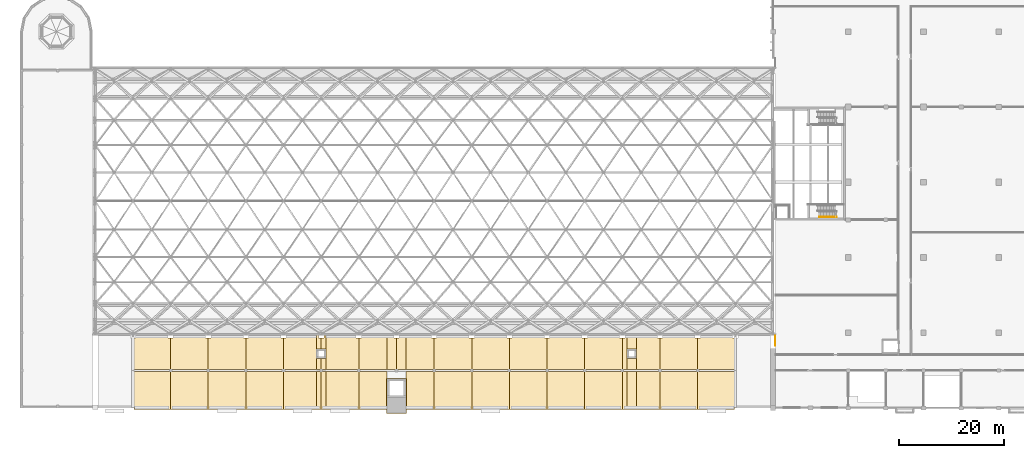
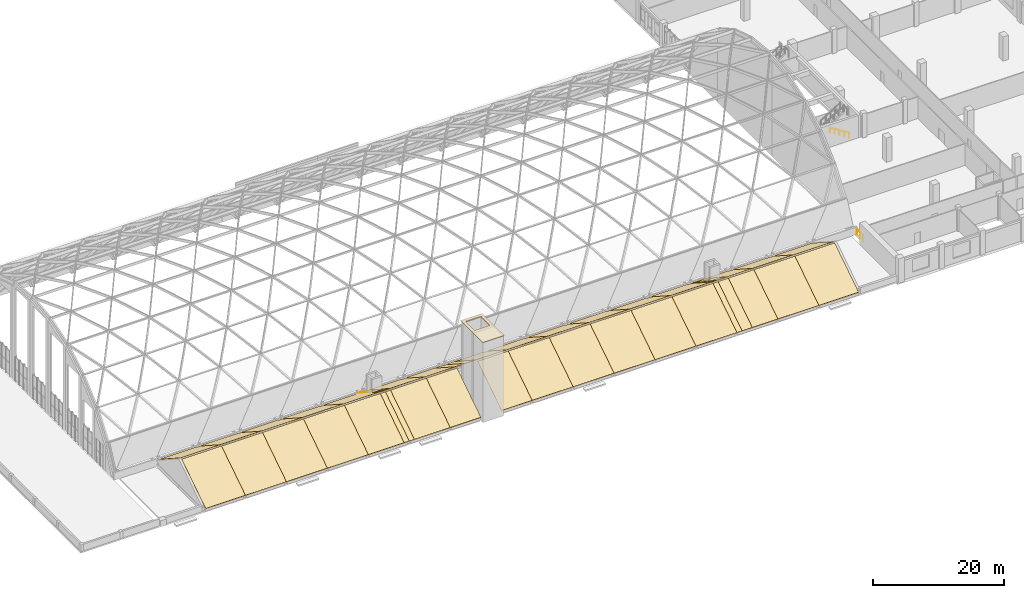
# One storey, part 50 of 52: 47 coverings, 2 railings.
"""IFC4 building model written with IfcOpenShell, lengths in metres."""

from ifc_helpers import new_model, si_unit, direction, frame, origin, origin_2d, place, context, subcontext, project, spatial, polyline, circle, outline, extrude, material, layer, layer_set, type_object, element, save


model = new_model("IFC4")

# Units and contexts
model_context = context("Model", 3, precision=1e-05, world=origin(), true_north=direction((0.0, 1.0)))
body_context = subcontext(model_context, "Body", "Model", "MODEL_VIEW")
ifc_project = project(units=[si_unit("LENGTHUNIT", "METRE"), si_unit("AREAUNIT", "SQUARE_METRE"), si_unit("VOLUMEUNIT", "CUBIC_METRE"), si_unit("PLANEANGLEUNIT", "RADIAN"), si_unit("MASSUNIT", "GRAM", prefix="KILO")], contexts=[model_context])

# Site, building, storey
site_placement = place(None, origin())
site = spatial("IfcSite", under=ifc_project, at=site_placement, CompositionType="ELEMENT")
building_placement = place(site_placement, origin())
building = spatial("IfcBuilding", under=site, at=building_placement, Name="Vermilion Court Aquatics Centre", CompositionType="ELEMENT")
storey_placement = place(building_placement, frame((0.0, 0.0, 12.0)))
storey = spatial("IfcBuildingStorey", under=building, at=storey_placement, Name="L02", CompositionType="ELEMENT", Elevation=12.0)

# Railings
ifc_material_1 = material(Name="Steel ASTM A992 Grade 50", Category="steel")
railing_type_1 = type_object("IfcRailingType", Name="Diving Tower stair handrail 900", PredefinedType="HANDRAIL", material=ifc_material_1)
railing_1_placement = place(storey_placement, frame((156.199951171875, 36.550048828125, 0.173095703125)))
element("IfcRailing", 1, at=railing_1_placement, inside=storey, type_object=railing_type_1, Name="Stair 1 handrail wall L02", PredefinedType="HANDRAIL", context=body_context, shape_type="SweptSolid", body=[
    extrude(circle(Radius=0.02392578125, at=origin_2d()), frame((0.0, 0.0, 0.8759765625), z_axis=(-0.850606129759, 0.0, 0.525803396734), x_axis=(0.0, -1.0, 0.0)), (0.0, 0.0, 1.0), 3.949951171875),
    extrude(circle(Radius=0.02099609375, at=origin_2d()), origin(), (0.0, 0.0, 1.0), 0.851806640625),
    extrude(circle(Radius=0.02099609375, at=origin_2d()), frame((-0.83984375, 0.0, 0.519287109375)), (0.0, 0.0, 1.0), 0.851806640625),
    extrude(circle(Radius=0.02099609375, at=origin_2d()), frame((-1.679931640625, 0.0, 1.03857421875)), (0.0, 0.0, 1.0), 0.851806640625),
    extrude(circle(Radius=0.02099609375, at=origin_2d()), frame((-2.52001953125, 0.0, 1.5576171875)), (0.0, 0.0, 1.0), 0.851806640625),
    extrude(circle(Radius=0.02099609375, at=origin_2d()), frame((-3.35986328125, 0.0, 2.076904296875)), (0.0, 0.0, 1.0), 0.851806640625),
])
ifc_material_2 = material(Name="Steel ASTM A992 Grade 50", Category="steel")
railing_type_2 = type_object("IfcRailingType", Name="Podium floor edge guard 1100", PredefinedType="GUARDRAIL", material=ifc_material_2)
railing_2_placement = place(storey_placement, frame((144.449951171875, 11.89990234375, 0.0)))
element("IfcRailing", 2, at=railing_2_placement, inside=storey, type_object=railing_type_2, Name="Floor edge guard L02", PredefinedType="GUARDRAIL", context=body_context, shape_type="SweptSolid", body=[
    extrude(circle(Radius=0.02392578125, at=origin_2d()), frame((0.0, 0.0, 1.076171875), z_axis=(0.0, 1.0, 0.0), x_axis=(-1.0, 0.0, 0.0)), (0.0, 0.0, 1.0), 1.900146484375),
    extrude(circle(Radius=0.02099609375, at=origin_2d()), origin(), (0.0, 0.0, 1.0), 1.052001953125),
    extrude(circle(Radius=0.02099609375, at=origin_2d()), frame((0.0, 0.9501953125, 0.0)), (0.0, 0.0, 1.0), 1.052001953125),
    extrude(circle(Radius=0.02099609375, at=origin_2d()), frame((0.0, 1.900146484375, 0.0)), (0.0, 0.0, 1.0), 1.052001953125),
])

# Coverings
ifc_material_3 = material(Name="Terracotta cladding", Category="masonry")
ifc_layer_1 = layer(ifc_material_3, 0.0400390625)
ifc_layer_set_1 = layer_set([ifc_layer_1], Name="South roof tile covering 40")
covering_type_1 = type_object("IfcCoveringType", Name="South roof tile covering 40", PredefinedType="ROOFING", material=ifc_layer_set_1)
covering_1_placement = place(storey_placement, frame((21.800048828125, -0.300048828125, 0.627197265625), z_axis=(0.0, -0.544640288858, 0.838669753689), x_axis=(0.0, 0.838669753689, 0.544640288858)))
element("IfcCovering", 3, at=covering_1_placement, inside=storey, type_object=covering_type_1, Name="South roof tile covering", PredefinedType="ROOFING", context=body_context, shape_type="SweptSolid", body=[
    extrude(outline(polyline([(0.0, 0.0), (8.704318709496524, 0.0), (8.704318709496524, -7.0), (0.0, -7.0), (0.0, 0.0)])), origin(), (-0.544640288858, 0.0, -0.838669753689), 0.047607421875),
])
for number, where, z_axis, x_axis, name in (
    (4, (28.800048828125, -0.300048828125, 0.627197265625), (0.0, -0.544640288858, 0.838669753689), (0.0, 0.838669753689, 0.544640288858), "South roof tile covering"),
    (5, (36.0, -0.300048828125, 0.627197265625), (0.0, -0.544640288858, 0.838669753689), (0.0, 0.838669753689, 0.544640288858), "South roof tile covering"),
    (6, (43.199951171875, -0.300048828125, 0.627197265625), (0.0, -0.544640288858, 0.838669753689), (0.0, 0.838669753689, 0.544640288858), "South roof tile covering"),
):
    element("IfcCovering", number, at=place(storey_placement, frame(where, z_axis=z_axis, x_axis=x_axis)), inside=storey, type_object=covering_type_1, Name=name, PredefinedType="ROOFING", context=body_context, shape_type="SweptSolid", body=[
        extrude(outline(polyline([(0.0, 0.0), (8.704318709496524, 0.0), (8.704318709496524, -7.199951171875), (0.0, -7.199951171875), (0.0, 0.0)])), origin(), (-0.544640288858, 0.0, -0.838669753689), 0.047607421875),
    ])
covering_2_placement = place(storey_placement, frame((50.39990234375, -0.300048828125, 0.627197265625), z_axis=(0.0, -0.544640288858, 0.838669753689), x_axis=(0.0, 0.838669753689, 0.544640288858)))
element("IfcCovering", 7, at=covering_2_placement, inside=storey, type_object=covering_type_1, Name="South roof tile covering", PredefinedType="ROOFING", context=body_context, shape_type="SweptSolid", body=[
    extrude(outline(polyline([(0.0, 0.0), (8.704318709496524, 0.0), (8.704318709496524, -6.300048828125), (0.0, -6.300048828125), (0.0, 0.0)])), origin(), (-0.544640288858, 0.0, -0.838669753689), 0.047607421875),
])
covering_3_placement = place(storey_placement, frame((56.699951171875, -0.300048828125, 0.627197265625), z_axis=(0.0, -0.544640288858, 0.838669753689), x_axis=(0.0, 0.838669753689, 0.544640288858)))
element("IfcCovering", 8, at=covering_3_placement, inside=storey, type_object=covering_type_1, Name="South roof tile covering", PredefinedType="ROOFING", context=body_context, shape_type="SweptSolid", body=[
    extrude(outline(polyline([(0.0, 0.0), (8.704318709496524, 0.0), (8.704318709496524, -0.900146484375), (0.0, -0.900146484375), (0.0, 0.0)])), origin(), (-0.544640288858, 0.0, -0.838669753689), 0.047607421875),
])
covering_4_placement = place(storey_placement, frame((57.60009765625, -0.300048828125, 0.627197265625), z_axis=(0.0, -0.544640288858, 0.838669753689), x_axis=(0.0, 0.838669753689, 0.544640288858)))
element("IfcCovering", 9, at=covering_4_placement, inside=storey, type_object=covering_type_1, Name="South roof tile covering", PredefinedType="ROOFING", context=body_context, shape_type="SweptSolid", body=[
    extrude(outline(polyline([(0.0, 0.0), (8.704318709496524, 0.0), (8.704318709496524, -0.89990234375), (0.0, -0.89990234375), (0.0, 0.0)])), origin(), (-0.544640288858, 0.0, -0.838669753689), 0.047607421875),
])
covering_5_placement = place(storey_placement, frame((58.5, -0.300048828125, 0.627197265625), z_axis=(0.0, -0.544640288858, 0.838669753689), x_axis=(0.0, 0.838669753689, 0.544640288858)))
element("IfcCovering", 10, at=covering_5_placement, inside=storey, type_object=covering_type_1, Name="South roof tile covering", PredefinedType="ROOFING", context=body_context, shape_type="SweptSolid", body=[
    extrude(outline(polyline([(0.0, 0.0), (8.704318709496524, 0.0), (8.704318709496524, -6.300048828125), (0.0, -6.300048828125), (0.0, 0.0)])), origin(), (-0.544640288858, 0.0, -0.838669753689), 0.047607421875),
])
covering_6_placement = place(storey_placement, frame((70.199951171875, -0.300048828125, 0.627197265625), z_axis=(0.0, -0.544640288858, 0.838669753689), x_axis=(-1.0, 0.0, 0.0)))
element("IfcCovering", 11, at=covering_6_placement, inside=storey, type_object=covering_type_1, Name="South roof tile covering", PredefinedType="ROOFING", context=body_context, shape_type="SweptSolid", body=[
    extrude(outline(polyline([(0.0, 0.0), (5.39990234375, 0.0), (5.39990234375, -8.704318709496524), (0.0, -8.704318709496524), (0.0, 0.0)])), origin(), (0.0, 0.544640288858, -0.838669753689), 0.047607421875),
])
covering_7_placement = place(storey_placement, frame((73.800048828125, 7.0, 5.367919921875), z_axis=(0.0, -0.544640288858, 0.838669753689), x_axis=(1.0, 0.0, 0.0)))
element("IfcCovering", 12, at=covering_7_placement, inside=storey, type_object=covering_type_1, Name="South roof tile covering", PredefinedType="ROOFING", context=body_context, shape_type="SweptSolid", body=[
    extrude(outline(polyline([(0.0, 0.0), (5.39990234375, 0.0), (5.39990234375, -8.704318709496524), (0.0, -8.704318709496524), (0.0, 0.0)])), origin(), (0.0, -0.544640288858, -0.838669753689), 0.047607421875),
])
covering_8_placement = place(storey_placement, frame((79.199951171875, -0.300048828125, 0.627197265625), z_axis=(0.0, -0.544640288858, 0.838669753689), x_axis=(0.0, 0.838669753689, 0.544640288858)))
element("IfcCovering", 13, at=covering_8_placement, inside=storey, type_object=covering_type_1, Name="South roof tile covering", PredefinedType="ROOFING", context=body_context, shape_type="SweptSolid", body=[
    extrude(outline(polyline([(0.0, 0.0), (8.704318709496524, 0.0), (8.704318709496524, -7.199951171875), (0.0, -7.199951171875), (0.0, 0.0)])), origin(), (-0.544640288858, 0.0, -0.838669753689), 0.047607421875),
])
covering_9_placement = place(storey_placement, frame((86.39990234375, -0.300048828125, 0.627197265625), z_axis=(0.0, -0.544640288858, 0.838669753689), x_axis=(0.0, 0.838669753689, 0.544640288858)))
element("IfcCovering", 14, at=covering_9_placement, inside=storey, type_object=covering_type_1, Name="South roof tile covering", PredefinedType="ROOFING", context=body_context, shape_type="SweptSolid", body=[
    extrude(outline(polyline([(0.0, 0.0), (8.704318709496524, 0.0), (8.704318709496524, -7.2001953125), (0.0, -7.2001953125), (0.0, 0.0)])), origin(), (-0.544640288858, 0.0, -0.838669753689), 0.047607421875),
])
for number, where, z_axis, x_axis, name in (
    (15, (93.60009765625, -0.300048828125, 0.627197265625), (0.0, -0.544640288858, 0.838669753689), (0.0, 0.838669753689, 0.544640288858), "South roof tile covering"),
    (16, (100.800048828125, -0.300048828125, 0.627197265625), (0.0, -0.544640288858, 0.838669753689), (0.0, 0.838669753689, 0.544640288858), "South roof tile covering"),
    (17, (108.0, -0.300048828125, 0.627197265625), (0.0, -0.544640288858, 0.838669753689), (0.0, 0.838669753689, 0.544640288858), "South roof tile covering"),
):
    element("IfcCovering", number, at=place(storey_placement, frame(where, z_axis=z_axis, x_axis=x_axis)), inside=storey, type_object=covering_type_1, Name=name, PredefinedType="ROOFING", context=body_context, shape_type="SweptSolid", body=[
        extrude(outline(polyline([(0.0, 0.0), (8.704318709496524, 0.0), (8.704318709496524, -7.199951171875), (0.0, -7.199951171875), (0.0, 0.0)])), origin(), (-0.544640288858, 0.0, -0.838669753689), 0.047607421875),
    ])
covering_10_placement = place(storey_placement, frame((115.199951171875, -0.300048828125, 0.627197265625), z_axis=(0.0, -0.544640288858, 0.838669753689), x_axis=(0.0, 0.838669753689, 0.544640288858)))
element("IfcCovering", 18, at=covering_10_placement, inside=storey, type_object=covering_type_1, Name="South roof tile covering", PredefinedType="ROOFING", context=body_context, shape_type="SweptSolid", body=[
    extrude(outline(polyline([(0.0, 0.0), (8.704318709496524, 0.0), (8.704318709496524, -0.900146484375), (0.0, -0.900146484375), (0.0, 0.0)])), origin(), (-0.544640288858, 0.0, -0.838669753689), 0.047607421875),
])
covering_11_placement = place(storey_placement, frame((116.10009765625, -0.300048828125, 0.627197265625), z_axis=(0.0, -0.544640288858, 0.838669753689), x_axis=(0.0, 0.838669753689, 0.544640288858)))
element("IfcCovering", 19, at=covering_11_placement, inside=storey, type_object=covering_type_1, Name="South roof tile covering", PredefinedType="ROOFING", context=body_context, shape_type="SweptSolid", body=[
    extrude(outline(polyline([(0.0, 0.0), (8.704318709496524, 0.0), (8.704318709496524, -1.7998046875), (0.0, -1.7998046875), (0.0, 0.0)])), origin(), (-0.544640288858, 0.0, -0.838669753689), 0.047607421875),
])
covering_12_placement = place(storey_placement, frame((117.89990234375, -0.300048828125, 0.627197265625), z_axis=(0.0, -0.544640288858, 0.838669753689), x_axis=(0.0, 0.838669753689, 0.544640288858)))
element("IfcCovering", 20, at=covering_12_placement, inside=storey, type_object=covering_type_1, Name="South roof tile covering", PredefinedType="ROOFING", context=body_context, shape_type="SweptSolid", body=[
    extrude(outline(polyline([(0.0, 0.0), (8.704318709496524, 0.0), (8.704318709496524, -4.5), (0.0, -4.5), (0.0, 0.0)])), origin(), (-0.544640288858, 0.0, -0.838669753689), 0.047607421875),
])
covering_13_placement = place(storey_placement, frame((122.39990234375, -0.300048828125, 0.627197265625), z_axis=(0.0, -0.544640288858, 0.838669753689), x_axis=(0.0, 0.838669753689, 0.544640288858)))
element("IfcCovering", 21, at=covering_13_placement, inside=storey, type_object=covering_type_1, Name="South roof tile covering", PredefinedType="ROOFING", context=body_context, shape_type="SweptSolid", body=[
    extrude(outline(polyline([(0.0, 0.0), (8.704318709496524, 0.0), (8.704318709496524, -7.2001953125), (0.0, -7.2001953125), (0.0, 0.0)])), origin(), (-0.544640288858, 0.0, -0.838669753689), 0.047607421875),
])
covering_14_placement = place(storey_placement, frame((129.60009765625, -0.300048828125, 0.627197265625), z_axis=(0.0, -0.544640288858, 0.838669753689), x_axis=(0.0, 0.838669753689, 0.544640288858)))
element("IfcCovering", 22, at=covering_14_placement, inside=storey, type_object=covering_type_1, Name="South roof tile covering", PredefinedType="ROOFING", context=body_context, shape_type="SweptSolid", body=[
    extrude(outline(polyline([(0.0, 0.0), (8.704318709496524, 0.0), (8.704318709496524, -7.0), (0.0, -7.0), (0.0, 0.0)])), origin(), (-0.544640288858, 0.0, -0.838669753689), 0.047607421875),
])
covering_15_placement = place(storey_placement, frame((28.800048828125, 7.39990234375, 5.367919921875), z_axis=(0.0, 0.54464029734, 0.83866974818), x_axis=(-1.0, 0.0, 0.0)))
element("IfcCovering", 23, at=covering_15_placement, inside=storey, type_object=covering_type_1, Name="South roof tile covering", PredefinedType="ROOFING", context=body_context, shape_type="SweptSolid", body=[
    extrude(outline(polyline([(0.0, 0.0), (7.0, 0.0), (7.0, -7.15420089766457), (6.699951171875, -7.15420089766457), (6.699951171875, -7.810043597288452), (0.5, -7.810043597288452), (0.5, -7.15420089766457), (0.0, -7.15420089766457), (0.0, 0.0)])), origin(), (0.0, -0.54464029734, -0.83866974818), 0.047607421875),
])
for number, where, z_axis, x_axis, name in (
    (24, (36.0, 7.39990234375, 5.367919921875), (0.0, 0.544640363075, 0.838669705492), (-1.0, 0.0, 0.0), "South roof tile covering"),
    (25, (43.199951171875, 7.39990234375, 5.367919921875), (0.0, 0.544640363075, 0.838669705492), (-1.0, 0.0, 0.0), "South roof tile covering"),
    (26, (50.39990234375, 7.39990234375, 5.367919921875), (0.0, 0.544640363075, 0.838669705492), (-1.0, 0.0, 0.0), "South roof tile covering"),
):
    element("IfcCovering", number, at=place(storey_placement, frame(where, z_axis=z_axis, x_axis=x_axis)), inside=storey, type_object=covering_type_1, Name=name, PredefinedType="ROOFING", context=body_context, shape_type="SweptSolid", body=[
        extrude(outline(polyline([(0.0, 0.0), (7.199951171875, 0.0), (7.199951171875, -7.154200897666255), (6.699951171875, -7.154200897666255), (6.699951171875, -7.8100435972882085), (0.5, -7.8100435972882085), (0.5, -7.154200897666255), (0.0, -7.154200897666255), (0.0, 0.0)])), origin(), (0.0, -0.544640363075, -0.838669705492), 0.047607421875),
    ])
covering_16_placement = place(storey_placement, frame((56.699951171875, 7.39990234375, 5.367919921875), z_axis=(-1.946344e-06, 0.544640204465, 0.838669808492), x_axis=(-0.999999999998, -1.060057e-06, -1.63234e-06)))
element("IfcCovering", 27, at=covering_16_placement, inside=storey, type_object=covering_type_1, Name="South roof tile covering", PredefinedType="ROOFING", context=body_context, shape_type="SweptSolid", body=[
    extrude(outline(polyline([(0.0, 0.0), (6.300048828113066, -6.6704361584159e-22), (6.300048828157011, -7.154200897662113), (5.8000488281579585, -7.154200897662113), (5.800048828110226, -7.8100435972887166), (-3.7882565719738566e-12, -7.8100435972887166), (0.0, 0.0)])), origin(), (1.63234e-06, -0.544640204466, -0.838669808492), 0.047607421875),
])
covering_17_placement = place(storey_placement, frame((57.60009765625, 7.39990234375, 5.367919921875), z_axis=(0.0, 0.544625037197, 0.838679658069), x_axis=(-1.0, 0.0, 0.0)))
element("IfcCovering", 28, at=covering_17_placement, inside=storey, type_object=covering_type_1, Name="South roof tile covering", PredefinedType="ROOFING", context=body_context, shape_type="SweptSolid", body=[
    extrude(outline(polyline([(0.0, 0.0), (0.900146484375, 0.0), (0.900146484375, -2.504052215939713), (0.0, -2.504052215939713), (0.0, 0.0)])), origin(), (0.0, -0.544625037197, -0.838679658069), 0.047607421875),
])
covering_18_placement = place(storey_placement, frame((57.60009765625, 11.300048828125, 2.835205078125), z_axis=(2.3628548e-05, 0.544663240042, 0.838654848188), x_axis=(-0.999999999721, 1.2869602e-05, 1.9816197e-05)))
element("IfcCovering", 29, at=covering_18_placement, inside=storey, type_object=covering_type_1, Name="South roof tile covering", PredefinedType="ROOFING", context=body_context, shape_type="SweptSolid", body=[
    extrude(outline(polyline([(0.0, 0.0), (0.9001464841237203, 0.0), (0.9001464846820286, -3.1596901623285154), (0.5000000004187312, -3.1596901623285154), (0.4999999994136127, -2.5038474636229218), (-4.468101994417454e-10, -2.5038474636229218), (0.0, 0.0)])), origin(), (-1.9816197e-05, -0.544663240194, -0.838654848188), 0.047607421875),
])
covering_19_placement = place(storey_placement, frame((58.5, 7.39990234375, 5.367919921875), z_axis=(0.0, 0.544625037197, 0.838679658069), x_axis=(-1.0, 0.0, 0.0)))
element("IfcCovering", 30, at=covering_19_placement, inside=storey, type_object=covering_type_1, Name="South roof tile covering", PredefinedType="ROOFING", context=body_context, shape_type="SweptSolid", body=[
    extrude(outline(polyline([(0.0, 0.0), (0.89990234375, 0.0), (0.89990234375, -2.504052215939713), (0.0, -2.504052215939713), (0.0, 0.0)])), origin(), (0.0, -0.544625037197, -0.838679658069), 0.047607421875),
])
covering_20_placement = place(storey_placement, frame((58.5, 13.949951171875, 1.1142578125), z_axis=(-2.3635794e-05, 0.544663241965, 0.838654846939), x_axis=(-1.77e-10, -0.838654847173, 0.544663242117)))
element("IfcCovering", 31, at=covering_20_placement, inside=storey, type_object=covering_type_1, Name="South roof tile covering", PredefinedType="ROOFING", context=body_context, shape_type="SweptSolid", body=[
    extrude(outline(polyline([(0.0, 0.0), (3.1596901623284612, 0.0), (3.159690162487569, -0.8999023434986345), (0.6558426988646038, -0.8999023443881401), (0.655842698776201, -0.39990234452780277), (7.070495526848455e-11, -0.39990234363829713), (0.0, 0.0)])), origin(), (-0.544663242117, -1.982237e-05, -0.838654846939), 0.047607421875),
])
covering_21_placement = place(storey_placement, frame((64.800048828125, 7.39990234375, 5.367919921875), z_axis=(1.946344e-06, 0.544640204465, 0.838669808492), x_axis=(-0.999999999998, 1.060057e-06, 1.63234e-06)))
element("IfcCovering", 32, at=covering_21_placement, inside=storey, type_object=covering_type_1, Name="South roof tile covering", PredefinedType="ROOFING", context=body_context, shape_type="SweptSolid", body=[
    extrude(outline(polyline([(0.0, 0.0), (6.300048828113066, 6.6704361584159e-22), (6.3000488281168545, -7.8100435972887166), (0.5000000000028412, -7.8100435972887166), (0.49999999995510874, -7.154200897662113), (-4.394414617602823e-11, -7.154200897662113), (0.0, 0.0)])), origin(), (-1.63234e-06, -0.544640204466, -0.838669808492), 0.047607421875),
])
covering_22_placement = place(storey_placement, frame((70.199951171875, 13.949951171875, 1.1142578125), z_axis=(-2.273336e-06, 0.544640239578, 0.838669785689), x_axis=(-1e-12, -0.838669785691, 0.544640239579)))
element("IfcCovering", 33, at=covering_22_placement, inside=storey, type_object=covering_type_1, Name="South roof tile covering", PredefinedType="ROOFING", context=body_context, shape_type="SweptSolid", body=[
    extrude(outline(polyline([(0.0, 0.0), (7.810043597288628, 0.0), (7.810043597292201, -5.399902343736047), (0.6558426996291491, -5.399902343791426), (0.6558426996288182, -4.899902343792719), (3.2423609418165585e-12, -4.899902343737339), (0.0, 0.0)])), origin(), (-0.544640239579, -1.906579e-06, -0.838669785689), 0.047607421875),
])
covering_23_placement = place(storey_placement, frame((72.0, 7.39990234375, 5.367919921875), z_axis=(6.92828e-06, 0.54464073943, 0.838669461054), x_axis=(-0.999999999976, 3.773423e-06, 5.810537e-06)))
element("IfcCovering", 34, at=covering_23_placement, inside=storey, type_object=covering_type_1, Name="South roof tile covering", PredefinedType="ROOFING", context=body_context, shape_type="SweptSolid", body=[
    extrude(outline(polyline([(0.0, 0.0), (1.800048828081798, -7.623503320441841e-22), (1.8000488281297988, -7.810043597285886), (0.5000000000360009, -7.810043597285886), (0.4999999998631923, -7.154200897675061), (-1.2480744801022874e-10, -7.154200897675061), (0.0, 0.0)])), origin(), (-5.810537e-06, -0.544640739443, -0.838669461054), 0.047607421875),
])
covering_24_placement = place(storey_placement, frame((73.800048828125, 13.949951171875, 1.1142578125), z_axis=(-6.92828e-06, 0.54464073943, 0.838669461054), x_axis=(-6e-12, -0.838669461074, 0.544640739443)))
element("IfcCovering", 35, at=covering_24_placement, inside=storey, type_object=covering_type_1, Name="South roof tile covering", PredefinedType="ROOFING", context=body_context, shape_type="SweptSolid", body=[
    extrude(outline(polyline([(0.0, 0.0), (7.810043597285886, 0.0), (7.810043597296949, -1.800048828081798), (0.6558426996218893, -1.8000488282505755), (0.6558426996188164, -1.300048828262576), (7.990188943636747e-12, -1.3000488280937983), (0.0, 0.0)])), origin(), (-0.544640739443, -5.81054e-06, -0.838669461054), 0.047607421875),
])
covering_25_placement = place(storey_placement, frame((79.199951171875, 7.39990234375, 5.367919921875), z_axis=(2.273336e-06, 0.544640239578, 0.838669785689), x_axis=(-0.999999999997, 1.23815e-06, 1.906579e-06)))
element("IfcCovering", 36, at=covering_25_placement, inside=storey, type_object=covering_type_1, Name="South roof tile covering", PredefinedType="ROOFING", context=body_context, shape_type="SweptSolid", body=[
    extrude(outline(polyline([(0.0, 0.0), (5.399902343736047, -1.1434737992779916e-21), (5.399902343741215, -7.810043597288629), (0.500000000003876, -7.810043597288629), (0.499999999948062, -7.154200897663053), (-5.064596061986787e-11, -7.154200897663053), (0.0, 0.0)])), origin(), (-1.906579e-06, -0.544640239579, -0.838669785689), 0.047607421875),
])
covering_26_placement = place(storey_placement, frame((86.39990234375, 7.39990234375, 5.367919921875), z_axis=(0.0, 0.544640363075, 0.838669705492), x_axis=(-1.0, 0.0, 0.0)))
element("IfcCovering", 37, at=covering_26_placement, inside=storey, type_object=covering_type_1, Name="South roof tile covering", PredefinedType="ROOFING", context=body_context, shape_type="SweptSolid", body=[
    extrude(outline(polyline([(0.0, 0.0), (7.199951171875, 0.0), (7.199951171875, -7.154200897666255), (6.699951171875, -7.154200897666255), (6.699951171875, -7.8100435972882085), (0.5, -7.8100435972882085), (0.5, -7.154200897666255), (0.0, -7.154200897666255), (0.0, 0.0)])), origin(), (0.0, -0.544640363075, -0.838669705492), 0.047607421875),
])
covering_27_placement = place(storey_placement, frame((93.60009765625, 7.39990234375, 5.367919921875), z_axis=(0.0, 0.544640363062, 0.8386697055), x_axis=(-1.0, 0.0, 0.0)))
element("IfcCovering", 38, at=covering_27_placement, inside=storey, type_object=covering_type_1, Name="South roof tile covering", PredefinedType="ROOFING", context=body_context, shape_type="SweptSolid", body=[
    extrude(outline(polyline([(0.0, 0.0), (7.2001953125, 0.0), (7.2001953125, -7.154200897666255), (6.7001953125, -7.154200897666255), (6.7001953125, -7.8100435972882085), (0.5, -7.8100435972882085), (0.5, -7.154200897666255), (0.0, -7.154200897666255), (0.0, 0.0)])), origin(), (0.0, -0.544640363062, -0.8386697055), 0.047607421875),
])
for number, where, z_axis, x_axis, name in (
    (39, (100.800048828125, 7.39990234375, 5.367919921875), (0.0, 0.544640363075, 0.838669705492), (-1.0, 0.0, 0.0), "South roof tile covering"),
    (40, (108.0, 7.39990234375, 5.367919921875), (0.0, 0.544640363075, 0.838669705492), (-1.0, 0.0, 0.0), "South roof tile covering"),
    (41, (115.199951171875, 7.39990234375, 5.367919921875), (0.0, 0.544640363075, 0.838669705492), (-1.0, 0.0, 0.0), "South roof tile covering"),
):
    element("IfcCovering", number, at=place(storey_placement, frame(where, z_axis=z_axis, x_axis=x_axis)), inside=storey, type_object=covering_type_1, Name=name, PredefinedType="ROOFING", context=body_context, shape_type="SweptSolid", body=[
        extrude(outline(polyline([(0.0, 0.0), (7.199951171875, 0.0), (7.199951171875, -7.154200897666255), (6.699951171875, -7.154200897666255), (6.699951171875, -7.8100435972882085), (0.5, -7.8100435972882085), (0.5, -7.154200897666255), (0.0, -7.154200897666255), (0.0, 0.0)])), origin(), (0.0, -0.544640363075, -0.838669705492), 0.047607421875),
    ])
covering_28_placement = place(storey_placement, frame((116.10009765625, 7.39990234375, 5.367919921875), z_axis=(-1.4193568e-05, 0.54464151956, 0.838668954338), x_axis=(-0.999999999899, -7.730407e-06, -1.1903705e-05)))
element("IfcCovering", 42, at=covering_28_placement, inside=storey, type_object=covering_type_1, Name="South roof tile covering", PredefinedType="ROOFING", context=body_context, shape_type="SweptSolid", body=[
    extrude(outline(polyline([(0.0, 0.0), (0.9001464842843294, 0.0), (0.9001464844455543, -7.154200897688723), (0.4001464844959187, -7.154200897688723), (0.40014648413323645, -7.810043597276063), (-2.0145738314445447e-10, -7.810043597276063), (0.0, 0.0)])), origin(), (1.1903705e-05, -0.544641519615, -0.838668954338), 0.047607421875),
])
covering_29_placement = place(storey_placement, frame((117.89990234375, 7.39990234375, 5.367919921875), z_axis=(0.0, 0.544625037197, 0.838679658069), x_axis=(-1.0, 0.0, 0.0)))
element("IfcCovering", 43, at=covering_29_placement, inside=storey, type_object=covering_type_1, Name="South roof tile covering", PredefinedType="ROOFING", context=body_context, shape_type="SweptSolid", body=[
    extrude(outline(polyline([(0.0, 0.0), (1.7998046875, 0.0), (1.7998046875, -2.504052215939713), (0.0, -2.504052215939713), (0.0, 0.0)])), origin(), (0.0, -0.544625037197, -0.838679658069), 0.047607421875),
])
covering_30_placement = place(storey_placement, frame((116.10009765625, 13.949951171875, 1.1142578125), z_axis=(0.0, 0.544656968615, 0.838658921457), x_axis=(1.0, 0.0, 0.0)))
element("IfcCovering", 44, at=covering_30_placement, inside=storey, type_object=covering_type_1, Name="South roof tile covering", PredefinedType="ROOFING", context=body_context, shape_type="SweptSolid", body=[
    extrude(outline(polyline([(0.0, 0.0), (1.7998046875, 0.0), (1.7998046875, -3.1596901624168643), (0.0, -3.1596901624168643), (0.0, 0.0)])), origin(), (0.0, 0.544656968615, -0.838658921457), 0.047607421875),
])
covering_31_placement = place(storey_placement, frame((122.39990234375, 7.39990234375, 5.367919921875), z_axis=(2.732236e-06, 0.544640288856, 0.838669753686), x_axis=(-0.999999999996, 1.488086e-06, 2.291444e-06)))
element("IfcCovering", 45, at=covering_31_placement, inside=storey, type_object=covering_type_1, Name="South roof tile covering", PredefinedType="ROOFING", context=body_context, shape_type="SweptSolid", body=[
    extrude(outline(polyline([(0.0, 0.0), (4.499999999983204, 0.0), (4.499999999990669, -7.81004359728848), (0.5000000000055989, -7.81004359728848), (0.4999999999384128, -7.1542008976643485), (-5.972091014262455e-11, -7.1542008976643485), (0.0, 0.0)])), origin(), (-2.291444e-06, -0.544640288858, -0.838669753686), 0.047607421875),
])
covering_32_placement = place(storey_placement, frame((129.60009765625, 7.39990234375, 5.367919921875), z_axis=(0.0, 0.544640363062, 0.8386697055), x_axis=(-1.0, 0.0, 0.0)))
element("IfcCovering", 46, at=covering_32_placement, inside=storey, type_object=covering_type_1, Name="South roof tile covering", PredefinedType="ROOFING", context=body_context, shape_type="SweptSolid", body=[
    extrude(outline(polyline([(0.0, 0.0), (7.2001953125, 0.0), (7.2001953125, -7.154200897666255), (6.7001953125, -7.154200897666255), (6.7001953125, -7.8100435972882085), (0.5, -7.8100435972882085), (0.5, -7.154200897666255), (0.0, -7.154200897666255), (0.0, 0.0)])), origin(), (0.0, -0.544640363062, -0.8386697055), 0.047607421875),
])
covering_33_placement = place(storey_placement, frame((136.60009765625, 7.39990234375, 5.367919921875), z_axis=(0.0, 0.54464029734, 0.83866974818), x_axis=(-1.0, 0.0, 0.0)))
element("IfcCovering", 47, at=covering_33_placement, inside=storey, type_object=covering_type_1, Name="South roof tile covering", PredefinedType="ROOFING", context=body_context, shape_type="SweptSolid", body=[
    extrude(outline(polyline([(0.0, 0.0), (7.0, 0.0), (7.0, -7.15420089766457), (6.5, -7.15420089766457), (6.5, -7.810043597288452), (0.300048828125, -7.810043597288452), (0.300048828125, -7.15420089766457), (0.0, -7.15420089766457), (0.0, 0.0)])), origin(), (0.0, -0.54464029734, -0.83866974818), 0.047607421875),
])
ifc_material_4 = material(Name="Brick masonry", Category="masonry")
ifc_layer_2 = layer(ifc_material_4, 0.074951171875)
ifc_layer_set_2 = layer_set([ifc_layer_2], Name="South stack corbel course 75")
covering_type_2 = type_object("IfcCoveringType", Name="South stack corbel course 75", PredefinedType="CLADDING", material=ifc_layer_set_2)
covering_34_placement = place(storey_placement, frame((0.0, 0.0, 14.85009765625)))
element("IfcCovering", 48, at=covering_34_placement, inside=storey, type_object=covering_type_2, Name="Stack corbel course", PredefinedType="CLADDING", context=body_context, shape_type="SweptSolid", body=[
    extrude(outline(polyline([(70.14990234375, -0.949951171875), (73.85009765625, -0.949951171875), (73.85009765625, 5.64990234375), (70.14990234375, 5.64990234375), (70.14990234375, -0.949951171875)]), holes=[polyline([(70.64990234375, 2.449951171875), (73.35009765625, 2.449951171875), (73.35009765625, 5.14990234375), (70.64990234375, 5.14990234375), (70.64990234375, 2.449951171875)])]), origin(), (0.0, 0.0, 1.0), 0.074951171875),
])
covering_35_placement = place(storey_placement, frame((0.0, 0.0, 14.925048828125)))
element("IfcCovering", 49, at=covering_35_placement, inside=storey, type_object=covering_type_2, Name="Stack corbel course", PredefinedType="CLADDING", context=body_context, shape_type="SweptSolid", body=[
    extrude(outline(polyline([(70.10009765625, -1.0), (73.89990234375, -1.0), (73.89990234375, 5.699951171875), (70.10009765625, 5.699951171875), (70.10009765625, -1.0)]), holes=[polyline([(70.64990234375, 2.449951171875), (73.35009765625, 2.449951171875), (73.35009765625, 5.14990234375), (70.64990234375, 5.14990234375), (70.64990234375, 2.449951171875)])]), origin(), (0.0, 0.0, 1.0), 0.074951171875),
])

save(model, "model.ifc")
